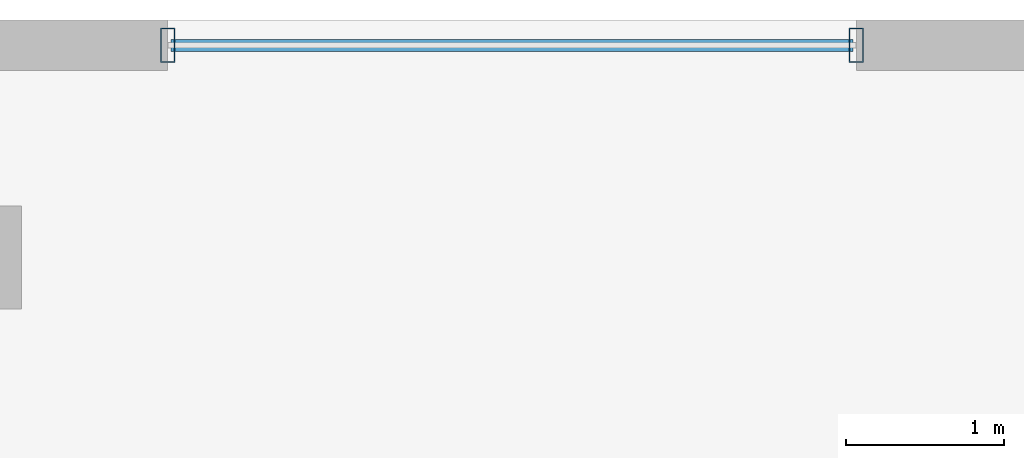
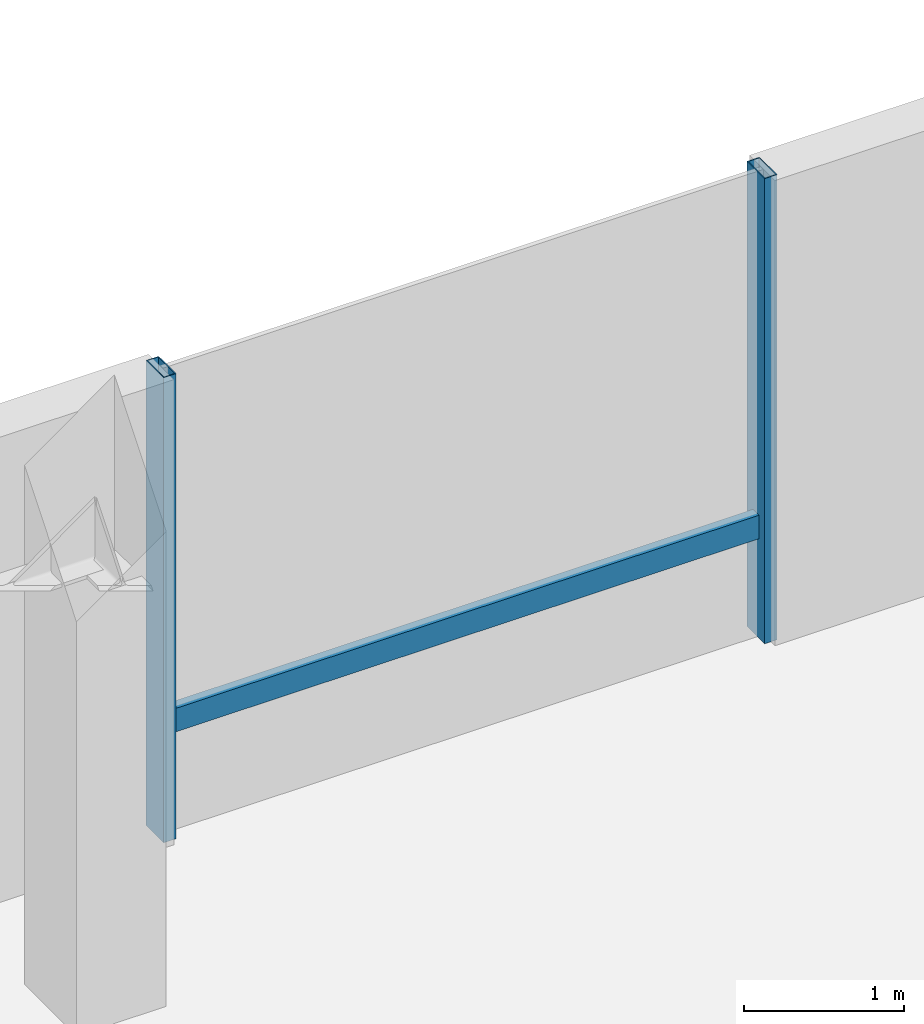
# One storey, part 9 of 22: 3 members, 1 element without a shape of its own.
"""IFC4 building model written with IfcOpenShell, lengths in metres."""

from ifc_helpers import new_model, si_unit, direction, frame, origin, origin_2d, place, context, subcontext, project, spatial, hollow_rectangle, extrude, material, material_profile, profile_set, type_object, element, aggregate, save


model = new_model("IFC4")

# Units and contexts
model_context = context("Model", 3, precision=1e-05, world=origin(), true_north=direction((0.0, 1.0)))
body_context = subcontext(model_context, "Body", "Model", "MODEL_VIEW")
ifc_project = project(units=[si_unit("LENGTHUNIT", "METRE"), si_unit("AREAUNIT", "SQUARE_METRE"), si_unit("VOLUMEUNIT", "CUBIC_METRE"), si_unit("PLANEANGLEUNIT", "RADIAN"), si_unit("MASSUNIT", "GRAM", prefix="KILO")], contexts=[model_context])

# Site, building, storey
site_placement = place(None, origin())
site = spatial("IfcSite", under=ifc_project, at=site_placement, CompositionType="ELEMENT")
building_placement = place(site_placement, origin())
building = spatial("IfcBuilding", under=site, at=building_placement, Name="Thornwick Lancets Civic Towers", CompositionType="ELEMENT")
storey_placement = place(building_placement, frame((0.0, 0.0, 18.60009765625)))
storey = spatial("IfcBuildingStorey", under=building, at=storey_placement, Name="L04", CompositionType="ELEMENT", Elevation=18.60009765625)

# Curtain wall, members
ifc_material_1 = material(Name="Terracotta-trimmed cascading podium ribbon curtain wall", Category="masonry")
curtain_wall_type = type_object("IfcCurtainWallType", Name="CW_SYS_02", PredefinedType="NOTDEFINED", material=ifc_material_1)
curtain_wall_placement = place(storey_placement, origin())
curtain_wall = element("IfcCurtainWall", 1, at=curtain_wall_placement, inside=storey, type_object=curtain_wall_type, Name="L04 Curtain Wall CW-L04-POD-NC-S1", PredefinedType="NOTDEFINED")
ifc_material_2 = material(Name="Thermally broken bronze aluminium S355", Category="steel")
ifc_material_profile_1 = material_profile(ifc_material_2, hollow_rectangle(XDim=0.090087890625, YDim=0.219970703125, WallThickness=0.00634765625, at=origin_2d()), Name="RHS 220x90x6.3")
ifc_profile_set_1 = profile_set([ifc_material_profile_1], Name="Thermally broken bronze aluminium S355")
member_type_1 = type_object("IfcMemberType", Name="CW_MUL_220", PredefinedType="MULLION", material=ifc_profile_set_1)
member_1_placement = place(storey_placement, frame((71.60009765625, 49.340087890625, 0.0), z_axis=(0.0, 0.0, 1.0), x_axis=(1.0, 0.0, 0.0)))
member_1 = element("IfcMember", 2, at=member_1_placement, type_object=member_type_1, Name="CW-L04-POD-NC-S1 Mullion 0", PredefinedType="MULLION", context=body_context, shape_type="SweptSolid", body=[
    extrude(hollow_rectangle(XDim=0.090087890625, YDim=0.219970703125, WallThickness=0.00634765625, at=origin_2d()), origin(), (0.0, 0.0, 1.0), 3.559814453125),
])
member_2_placement = place(storey_placement, frame((67.25, 49.340087890625, 0.0), z_axis=(0.0, 0.0, 1.0), x_axis=(1.0, 0.0, 0.0)))
member_2 = element("IfcMember", 3, at=member_2_placement, type_object=member_type_1, Name="CW-L04-POD-NC-S1 Mullion 1", PredefinedType="MULLION", context=body_context, shape_type="SweptSolid", body=[
    extrude(hollow_rectangle(XDim=0.090087890625, YDim=0.219970703125, WallThickness=0.00634765625, at=origin_2d()), origin(), (0.0, 0.0, 1.0), 3.559814453125),
])
ifc_material_profile_2 = material_profile(ifc_material_2, hollow_rectangle(XDim=0.074951171875, YDim=0.179931640625, WallThickness=0.006103515625, at=origin_2d()), Name="RHS 180x75x6")
ifc_profile_set_2 = profile_set([ifc_material_profile_2], Name="Thermally broken bronze aluminium S355")
member_type_2 = type_object("IfcMemberType", Name="CW_TRN_180", PredefinedType="USERDEFINED", material=ifc_profile_set_2)
member_3_placement = place(storey_placement, frame((71.580078125, 49.340087890625, 0.849853515625), z_axis=(-1.0, 0.0, 0.0), x_axis=(0.0, -1.0, 0.0)))
member_3 = element("IfcMember", 4, at=member_3_placement, type_object=member_type_2, Name="CW-L04-POD-NC-S1 Transom 0", ObjectType="TRANSOM", PredefinedType="USERDEFINED", context=body_context, shape_type="SweptSolid", body=[
    extrude(hollow_rectangle(XDim=0.074951171875, YDim=0.179931640625, WallThickness=0.006103515625, at=origin_2d()), origin(), (0.0, 0.0, 1.0), 4.31005859375),
])
aggregate(curtain_wall, [member_1, member_2, member_3])

save(model, "model.ifc")
